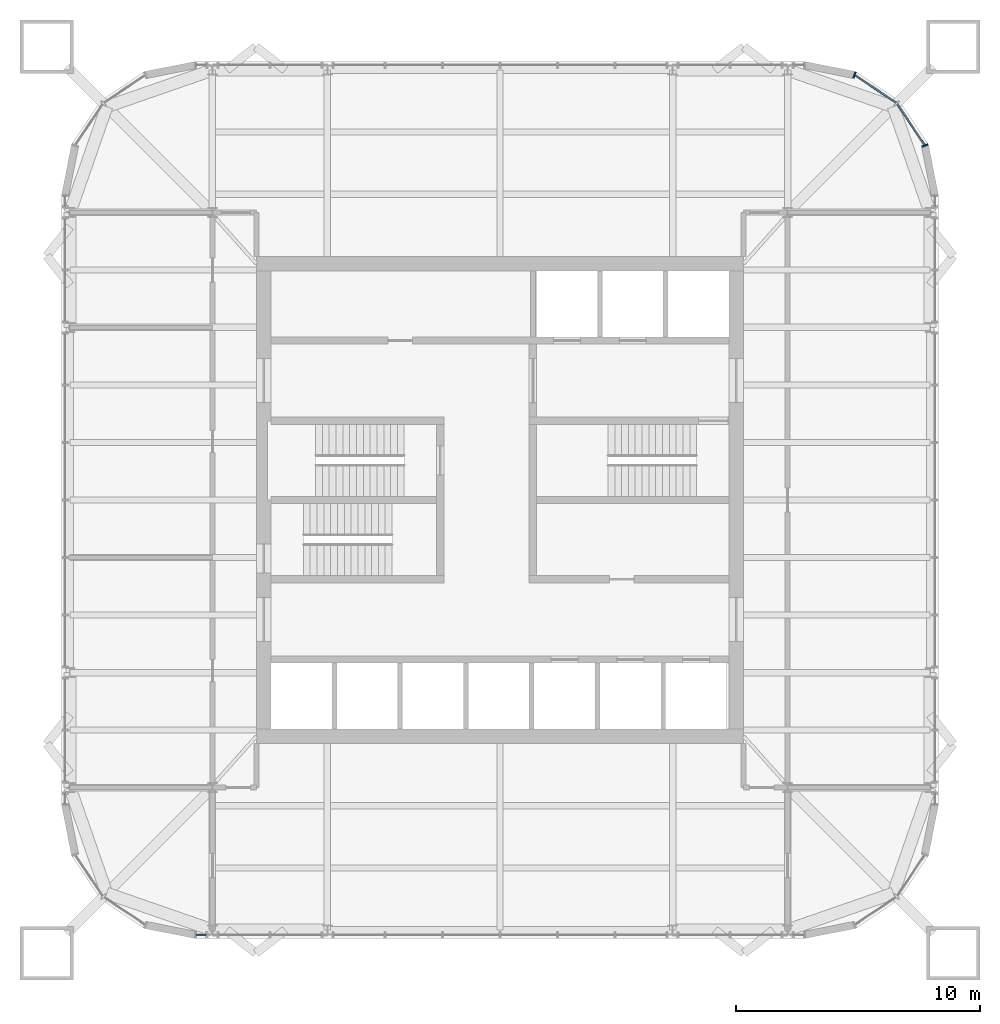
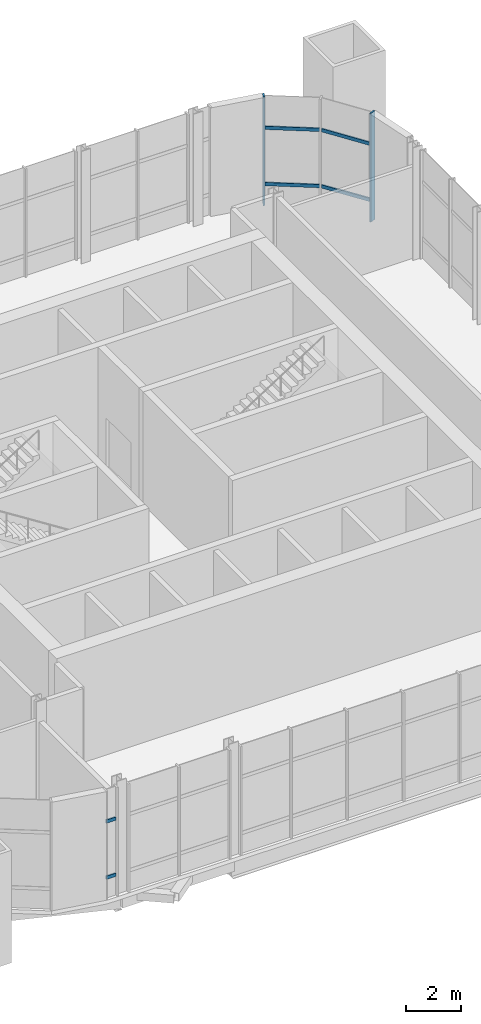
# One storey, part 6 of 15: 8 members, 2 elements without a shape of their own.
"""IFC4 building model written with IfcOpenShell, lengths in metres."""

from ifc_helpers import new_model, si_unit, direction, frame, origin, origin_2d, place, context, subcontext, project, spatial, rectangle, extrude, material, material_profile, profile_set, type_object, element, aggregate, save


model = new_model("IFC4")

# Units and contexts
model_context = context("Model", 3, precision=1e-05, world=origin(), true_north=direction((0.0, 1.0)))
body_context = subcontext(model_context, "Body", "Model", "MODEL_VIEW")
ifc_project = project(units=[si_unit("LENGTHUNIT", "METRE"), si_unit("AREAUNIT", "SQUARE_METRE"), si_unit("VOLUMEUNIT", "CUBIC_METRE"), si_unit("PLANEANGLEUNIT", "RADIAN"), si_unit("MASSUNIT", "GRAM", prefix="KILO")], contexts=[model_context])

# Site, building, storey
site_placement = place(None, origin())
site = spatial("IfcSite", under=ifc_project, at=site_placement, CompositionType="ELEMENT")
building_placement = place(site_placement, origin())
building = spatial("IfcBuilding", under=site, at=building_placement, Name="Turquesa Mirador Hotel Tower", CompositionType="ELEMENT")
storey_placement = place(building_placement, frame((0.0, 0.0, 261.699951171875)))
storey = spatial("IfcBuildingStorey", under=building, at=storey_placement, Name="L71", CompositionType="ELEMENT", Elevation=261.699951171875)

# Curtain wall, members
ifc_material_1 = material(Name="Aluminium extrusion", Category="aluminium")
curtain_wall_type = type_object("IfcCurtainWallType", Name="CW-5 SKY RESTAURANT CURTAIN WALL", PredefinedType="USERDEFINED", material=ifc_material_1)
curtain_wall_1_placement = place(storey_placement, origin())
curtain_wall_1 = element("IfcCurtainWall", 1, at=curtain_wall_1_placement, inside=storey, type_object=curtain_wall_type, Name="CW-5 SKY RESTAURANT CURTAIN WALL L71", ObjectType="CURTAIN WALL", PredefinedType="USERDEFINED")
ifc_material_2 = material(Name="Aluminium extrusion", Category="aluminium")
ifc_material_profile_1 = material_profile(ifc_material_2, rectangle(XDim=0.06494140625, YDim=0.25, at=origin_2d()), Name="MULLION 65X250")
ifc_profile_set_1 = profile_set([ifc_material_profile_1], Name="Aluminium extrusion")
member_type_1 = type_object("IfcMemberType", Name="CW MULLION 65X250", PredefinedType="MULLION", material=ifc_profile_set_1)
member_1_placement = place(storey_placement, frame((72.44287109375, 59.54736328125, 0.0), z_axis=(0.0, 0.0, 1.0), x_axis=(-0.382683432365, 0.923879532511, 0.0)))
member_1 = element("IfcMember", 2, at=member_1_placement, type_object=member_type_1, Name="Mullion", PredefinedType="MULLION", context=body_context, shape_type="SweptSolid", body=[
    extrude(rectangle(XDim=0.06494140625, YDim=0.25, at=origin_2d()), origin(), (0.0, 0.0, 1.0), 4.830078125),
])
member_2_placement = place(storey_placement, frame((69.54736328125, 62.44287109375, 0.0), z_axis=(0.0, 0.0, 1.0), x_axis=(-0.923879532511, 0.382683432365, 0.0)))
member_2 = element("IfcMember", 3, at=member_2_placement, type_object=member_type_1, Name="Mullion", PredefinedType="MULLION", context=body_context, shape_type="SweptSolid", body=[
    extrude(rectangle(XDim=0.06494140625, YDim=0.25, at=origin_2d()), origin(), (0.0, 0.0, 1.0), 4.830078125),
])
ifc_material_3 = material(Name="Aluminium extrusion", Category="aluminium")
ifc_material_profile_2 = material_profile(ifc_material_3, rectangle(XDim=0.06494140625, YDim=0.14990234375, at=origin_2d()), Name="TRANSOM 65X150")
ifc_profile_set_2 = profile_set([ifc_material_profile_2], Name="Aluminium extrusion")
member_type_2 = type_object("IfcMemberType", Name="CW TRANSOM 65X150", PredefinedType="USERDEFINED", material=ifc_profile_set_2)
member_3_placement = place(storey_placement, frame((72.4248046875, 59.574462890625, 0.900146484375), z_axis=(-0.555619095835, 0.831436961136, 0.0), x_axis=(-0.831436961136, -0.555619095835, 0.0)))
member_3 = element("IfcMember", 4, at=member_3_placement, type_object=member_type_2, Name="Transom", ObjectType="TRANSOM", PredefinedType="USERDEFINED", context=body_context, shape_type="SweptSolid", body=[
    extrude(rectangle(XDim=0.06494140625, YDim=0.14990234375, at=origin_2d()), origin(), (0.0, 0.0, 1.0), 2.0224609375),
])
member_4_placement = place(storey_placement, frame((72.4248046875, 59.574462890625, 3.400146484375), z_axis=(-0.555619095835, 0.831436961136, 0.0), x_axis=(-0.831436961136, -0.555619095835, 0.0)))
member_4 = element("IfcMember", 5, at=member_4_placement, type_object=member_type_2, Name="Transom", ObjectType="TRANSOM", PredefinedType="USERDEFINED", context=body_context, shape_type="SweptSolid", body=[
    extrude(rectangle(XDim=0.06494140625, YDim=0.14990234375, at=origin_2d()), origin(), (0.0, 0.0, 1.0), 2.0224609375),
])
member_5_placement = place(storey_placement, frame((71.256103515625, 61.301025390625, 0.900146484375), z_axis=(-0.831436961136, 0.555619095835, 0.0), x_axis=(-0.555619095835, -0.831436961136, 0.0)))
member_5 = element("IfcMember", 6, at=member_5_placement, type_object=member_type_2, Name="Transom", ObjectType="TRANSOM", PredefinedType="USERDEFINED", context=body_context, shape_type="SweptSolid", body=[
    extrude(rectangle(XDim=0.06494140625, YDim=0.14990234375, at=origin_2d()), origin(), (0.0, 0.0, 1.0), 2.0224609375),
])
member_6_placement = place(storey_placement, frame((71.256103515625, 61.301025390625, 3.400146484375), z_axis=(-0.831436961136, 0.555619095835, 0.0), x_axis=(-0.555619095835, -0.831436961136, 0.0)))
member_6 = element("IfcMember", 7, at=member_6_placement, type_object=member_type_2, Name="Transom", ObjectType="TRANSOM", PredefinedType="USERDEFINED", context=body_context, shape_type="SweptSolid", body=[
    extrude(rectangle(XDim=0.06494140625, YDim=0.14990234375, at=origin_2d()), origin(), (0.0, 0.0, 1.0), 2.0224609375),
])
aggregate(curtain_wall_1, [member_1, member_2, member_3, member_4, member_5, member_6])

curtain_wall_2_placement = place(storey_placement, origin())
curtain_wall_2 = element("IfcCurtainWall", 8, at=curtain_wall_2_placement, inside=storey, type_object=curtain_wall_type, Name="CW-5 SKY RESTAURANT CURTAIN WALL L71", ObjectType="CURTAIN WALL", PredefinedType="USERDEFINED")
member_7_placement = place(storey_placement, frame((42.532470703125, 27.14990234375, 0.900146484375), z_axis=(1.0, 0.0, 0.0), x_axis=(0.0, 1.0, 0.0)))
member_7 = element("IfcMember", 9, at=member_7_placement, type_object=member_type_2, Name="Transom", ObjectType="TRANSOM", PredefinedType="USERDEFINED", context=body_context, shape_type="SweptSolid", body=[
    extrude(rectangle(XDim=0.06494140625, YDim=0.14990234375, at=origin_2d()), origin(), (0.0, 0.0, 1.0), 0.401123046875),
])
member_8_placement = place(storey_placement, frame((42.532470703125, 27.14990234375, 3.400146484375), z_axis=(1.0, 0.0, 0.0), x_axis=(0.0, 1.0, 0.0)))
member_8 = element("IfcMember", 10, at=member_8_placement, type_object=member_type_2, Name="Transom", ObjectType="TRANSOM", PredefinedType="USERDEFINED", context=body_context, shape_type="SweptSolid", body=[
    extrude(rectangle(XDim=0.06494140625, YDim=0.14990234375, at=origin_2d()), origin(), (0.0, 0.0, 1.0), 0.401123046875),
])
aggregate(curtain_wall_2, [member_7, member_8])

save(model, "model.ifc")
